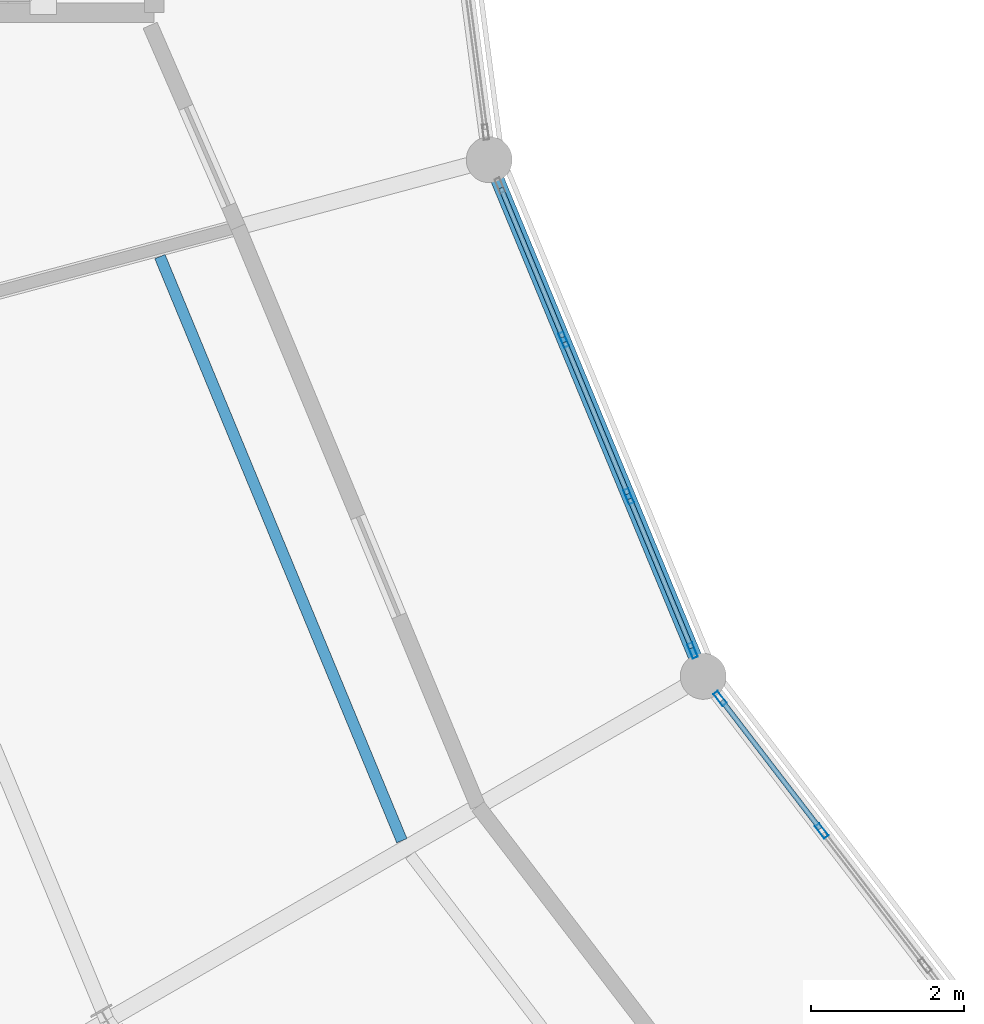
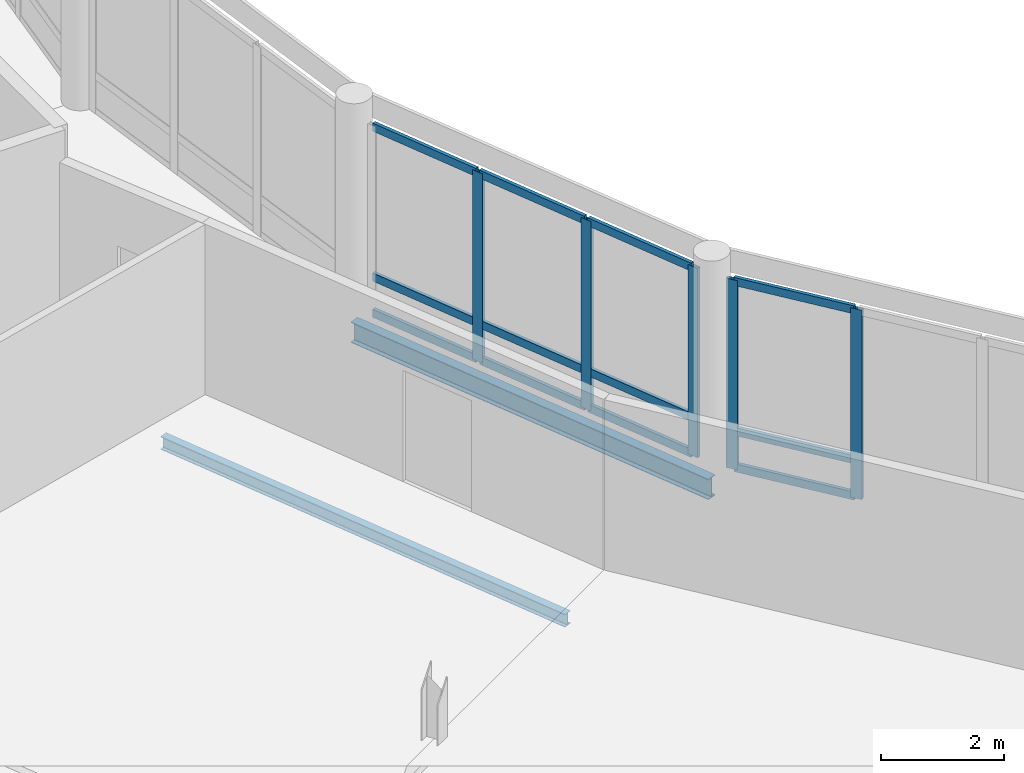
# One storey, part 39 of 170: 17 members, 2 beams, 2 elements without a shape of their own.
"""IFC4 building model written with IfcOpenShell, lengths in metres."""

from ifc_helpers import new_model, si_unit, direction, frame, origin, origin_2d, place, context, subcontext, project, spatial, hollow_rectangle, i_section, extrude, material, material_profile, profile_set, type_object, element, aggregate, save


model = new_model("IFC4")

# Units and contexts
model_context = context("Model", 3, precision=1e-05, world=origin(), true_north=direction((0.0, 1.0)))
body_context = subcontext(model_context, "Body", "Model", "MODEL_VIEW")
ifc_project = project(units=[si_unit("LENGTHUNIT", "METRE"), si_unit("AREAUNIT", "SQUARE_METRE"), si_unit("VOLUMEUNIT", "CUBIC_METRE"), si_unit("PLANEANGLEUNIT", "RADIAN"), si_unit("MASSUNIT", "GRAM", prefix="KILO")], contexts=[model_context])

# Site, building, storey
site_placement = place(None, origin())
site = spatial("IfcSite", under=ifc_project, at=site_placement, CompositionType="ELEMENT")
building_placement = place(site_placement, origin())
building = spatial("IfcBuilding", under=site, at=building_placement, Name="Vondelvale Polytechnic", CompositionType="ELEMENT")
storey_placement = place(building_placement, frame((0.0, 0.0, 5.39990234375)))
storey = spatial("IfcBuildingStorey", under=building, at=storey_placement, Name="L01", CompositionType="ELEMENT", Elevation=5.39990234375)

# Beam
ifc_material_1 = material(Name="Steel 300PLUS (fy = 300 MPa)", Category="steel")
ifc_material_profile_1 = material_profile(ifc_material_1, i_section(OverallWidth=0.177978515625, OverallDepth=0.406005859375, WebThickness=0.0078125, FlangeThickness=0.0126953125, FilletRadius=0.011474609375, at=origin_2d()), Name="410UB59.7")
ifc_profile_set_1 = profile_set([ifc_material_profile_1], Name="Steel 300PLUS (fy = 300 MPa)")
beam_type_1 = type_object("IfcBeamType", Name="BM-UB410", PredefinedType="BEAM", material=ifc_profile_set_1)
beam_1_placement = place(storey_placement, frame((74.9541015625, 64.753173828125, -0.48291015625), z_axis=(0.382667428841, -0.923886161226, 0.0), x_axis=(0.923886161226, 0.382667428841, 0.0)))
element("IfcBeam", 1, at=beam_1_placement, inside=storey, type_object=beam_type_1, Name="L01 RB B-14", PredefinedType="BEAM", context=body_context, shape_type="SweptSolid", body=[
    extrude(i_section(OverallWidth=0.177978515625, OverallDepth=0.406005859375, WebThickness=0.0078125, FlangeThickness=0.0126953125, FilletRadius=0.011474609375, at=origin_2d()), origin(), (0.0, 0.0, 1.0), 7.3095703125),
])

# Curtain wall, members
ifc_material_2 = material(Name="Anodised extruded aluminium 6063-T6", Category="aluminium")
curtain_wall_type = type_object("IfcCurtainWallType", Name="CW-RING-CLOISTER", PredefinedType="NOTDEFINED", material=ifc_material_2)
curtain_wall_1_placement = place(storey_placement, origin())
curtain_wall_1 = element("IfcCurtainWall", 2, at=curtain_wall_1_placement, inside=storey, type_object=curtain_wall_type, Name="L01 architectural curtain wall CW-03-279", PredefinedType="NOTDEFINED")
ifc_material_profile_2 = material_profile(ifc_material_2, hollow_rectangle(XDim=0.070068359375, YDim=0.199951171875, WallThickness=0.00390625, at=origin_2d()), Name="CW-MUL-200x70")
ifc_profile_set_2 = profile_set([ifc_material_profile_2], Name="Anodised extruded aluminium 6063-T6")
member_type_1 = type_object("IfcMemberType", Name="CW-MUL-70x200", PredefinedType="MULLION", material=ifc_profile_set_2)
member_1_placement = place(storey_placement, frame((75.9287109375, 62.400390625, 0.0), z_axis=(0.0, 0.0, 1.0), x_axis=(0.923881562419, 0.382678531697, 0.0)))
member_1 = element("IfcMember", 3, at=member_1_placement, type_object=member_type_1, Name="CW-03-279 mullion 2", PredefinedType="MULLION", context=body_context, shape_type="SweptSolid", body=[
    extrude(hollow_rectangle(XDim=0.070068359375, YDim=0.199951171875, WallThickness=0.00390625, at=origin_2d()), origin(), (0.0, 0.0, 1.0), 3.75),
])
member_2_placement = place(storey_placement, frame((76.77685546875, 60.352783203125, 0.0), z_axis=(0.0, 0.0, 1.0), x_axis=(0.923881562419, 0.382678531697, 0.0)))
member_2 = element("IfcMember", 4, at=member_2_placement, type_object=member_type_1, Name="CW-03-279 mullion 3", PredefinedType="MULLION", context=body_context, shape_type="SweptSolid", body=[
    extrude(hollow_rectangle(XDim=0.070068359375, YDim=0.199951171875, WallThickness=0.00390625, at=origin_2d()), origin(), (0.0, 0.0, 1.0), 3.75),
])
member_3_placement = place(storey_placement, frame((77.611572265625, 58.337158203125, 0.0), z_axis=(0.0, 0.0, 1.0), x_axis=(0.923881562419, 0.382678531697, 0.0)))
member_3 = element("IfcMember", 5, at=member_3_placement, type_object=member_type_1, Name="CW-03-279 mullion 4", PredefinedType="MULLION", context=body_context, shape_type="SweptSolid", body=[
    extrude(hollow_rectangle(XDim=0.070068359375, YDim=0.199951171875, WallThickness=0.00390625, at=origin_2d()), origin(), (0.0, 0.0, 1.0), 3.75),
])

curtain_wall_2_placement = place(storey_placement, origin())
curtain_wall_2 = element("IfcCurtainWall", 6, at=curtain_wall_2_placement, inside=storey, type_object=curtain_wall_type, Name="L01 architectural curtain wall CW-03-298", PredefinedType="NOTDEFINED")
member_4_placement = place(storey_placement, frame((77.97265625, 57.71142578125, 0.0), z_axis=(0.0, 0.0, 1.0), x_axis=(0.793363861089, 0.608747717793, 0.0)))
member_4 = element("IfcMember", 7, at=member_4_placement, type_object=member_type_1, Name="CW-03-298 mullion 1", PredefinedType="MULLION", context=body_context, shape_type="SweptSolid", body=[
    extrude(hollow_rectangle(XDim=0.070068359375, YDim=0.199951171875, WallThickness=0.00390625, at=origin_2d()), origin(), (0.0, 0.0, 1.0), 3.75),
])
member_5_placement = place(storey_placement, frame((79.30126953125, 55.97998046875, 0.0), z_axis=(0.0, 0.0, 1.0), x_axis=(0.793363861089, 0.608747717793, 0.0)))
member_5 = element("IfcMember", 8, at=member_5_placement, type_object=member_type_1, Name="CW-03-298 mullion 2", PredefinedType="MULLION", context=body_context, shape_type="SweptSolid", body=[
    extrude(hollow_rectangle(XDim=0.070068359375, YDim=0.199951171875, WallThickness=0.00390625, at=origin_2d()), origin(), (0.0, 0.0, 1.0), 3.75),
])

# Member
ifc_material_profile_3 = material_profile(ifc_material_2, hollow_rectangle(XDim=0.06494140625, YDim=0.159912109375, WallThickness=0.00341796875, at=origin_2d()), Name="CW-TRN-160x65")
ifc_profile_set_3 = profile_set([ifc_material_profile_3], Name="Anodised extruded aluminium 6063-T6")
member_type_2 = type_object("IfcMemberType", Name="CW-TRN-70x160", PredefinedType="USERDEFINED", material=ifc_profile_set_3)
member_6_placement = place(storey_placement, frame((75.107177734375, 64.383544921875, 0.03271484375), z_axis=(0.382726229306, -0.923861804277, 0.0), x_axis=(0.923861804277, 0.382726229306, 0.0)))
member_6 = element("IfcMember", 9, at=member_6_placement, type_object=member_type_2, Name="CW-03-279 transom 1.1", ObjectType="TRANSOM", PredefinedType="USERDEFINED", context=body_context, shape_type="SweptSolid", body=[
    extrude(hollow_rectangle(XDim=0.06494140625, YDim=0.159912109375, WallThickness=0.00341796875, at=origin_2d()), origin(), (0.0, 0.0, 1.0), 2.111328125),
])

member_7_placement = place(storey_placement, frame((75.107177734375, 64.383544921875, 0.75), z_axis=(0.382726229306, -0.923861804277, 0.0), x_axis=(0.923861804277, 0.382726229306, 0.0)))
member_7 = element("IfcMember", 10, at=member_7_placement, type_object=member_type_2, Name="CW-03-279 transom 1.2", ObjectType="TRANSOM", PredefinedType="USERDEFINED", context=body_context, shape_type="SweptSolid", body=[
    extrude(hollow_rectangle(XDim=0.06494140625, YDim=0.159912109375, WallThickness=0.00341796875, at=origin_2d()), origin(), (0.0, 0.0, 1.0), 2.111328125),
])

member_8_placement = place(storey_placement, frame((75.107177734375, 64.383544921875, 3.717529296875), z_axis=(0.382726229306, -0.923861804277, 0.0), x_axis=(0.923861804277, 0.382726229306, 0.0)))
member_8 = element("IfcMember", 11, at=member_8_placement, type_object=member_type_2, Name="CW-03-279 transom 1.3", ObjectType="TRANSOM", PredefinedType="USERDEFINED", context=body_context, shape_type="SweptSolid", body=[
    extrude(hollow_rectangle(XDim=0.06494140625, YDim=0.159912109375, WallThickness=0.00341796875, at=origin_2d()), origin(), (0.0, 0.0, 1.0), 2.111328125),
])

member_9_placement = place(storey_placement, frame((75.94189453125, 62.3681640625, 0.03271484375), z_axis=(0.382716752649, -0.923865730094, 0.0), x_axis=(0.923865730094, 0.382716752649, 0.0)))
member_9 = element("IfcMember", 12, at=member_9_placement, type_object=member_type_2, Name="CW-03-279 transom 2.1", ObjectType="TRANSOM", PredefinedType="USERDEFINED", context=body_context, shape_type="SweptSolid", body=[
    extrude(hollow_rectangle(XDim=0.06494140625, YDim=0.159912109375, WallThickness=0.00341796875, at=origin_2d()), origin(), (0.0, 0.0, 1.0), 2.146484375),
])

member_10_placement = place(storey_placement, frame((75.94189453125, 62.3681640625, 0.75), z_axis=(0.382716752649, -0.923865730094, 0.0), x_axis=(0.923865730094, 0.382716752649, 0.0)))
member_10 = element("IfcMember", 13, at=member_10_placement, type_object=member_type_2, Name="CW-03-279 transom 2.2", ObjectType="TRANSOM", PredefinedType="USERDEFINED", context=body_context, shape_type="SweptSolid", body=[
    extrude(hollow_rectangle(XDim=0.06494140625, YDim=0.159912109375, WallThickness=0.00341796875, at=origin_2d()), origin(), (0.0, 0.0, 1.0), 2.146484375),
])

member_11_placement = place(storey_placement, frame((75.94189453125, 62.3681640625, 3.717529296875), z_axis=(0.382716752649, -0.923865730094, 0.0), x_axis=(0.923865730094, 0.382716752649, 0.0)))
member_11 = element("IfcMember", 14, at=member_11_placement, type_object=member_type_2, Name="CW-03-279 transom 2.3", ObjectType="TRANSOM", PredefinedType="USERDEFINED", context=body_context, shape_type="SweptSolid", body=[
    extrude(hollow_rectangle(XDim=0.06494140625, YDim=0.159912109375, WallThickness=0.00341796875, at=origin_2d()), origin(), (0.0, 0.0, 1.0), 2.146484375),
])

member_12_placement = place(storey_placement, frame((76.790283203125, 60.3203125, 0.03271484375), z_axis=(0.382627532503, -0.923902685011, 0.0), x_axis=(0.923902685011, 0.382627532503, 0.0)))
member_12 = element("IfcMember", 15, at=member_12_placement, type_object=member_type_2, Name="CW-03-279 transom 3.1", ObjectType="TRANSOM", PredefinedType="USERDEFINED", context=body_context, shape_type="SweptSolid", body=[
    extrude(hollow_rectangle(XDim=0.06494140625, YDim=0.159912109375, WallThickness=0.00341796875, at=origin_2d()), origin(), (0.0, 0.0, 1.0), 2.111328125),
])

member_13_placement = place(storey_placement, frame((76.790283203125, 60.3203125, 0.75), z_axis=(0.382627532503, -0.923902685011, 0.0), x_axis=(0.923902685011, 0.382627532503, 0.0)))
member_13 = element("IfcMember", 16, at=member_13_placement, type_object=member_type_2, Name="CW-03-279 transom 3.2", ObjectType="TRANSOM", PredefinedType="USERDEFINED", context=body_context, shape_type="SweptSolid", body=[
    extrude(hollow_rectangle(XDim=0.06494140625, YDim=0.159912109375, WallThickness=0.00341796875, at=origin_2d()), origin(), (0.0, 0.0, 1.0), 2.111328125),
])

member_14_placement = place(storey_placement, frame((76.790283203125, 60.3203125, 3.717529296875), z_axis=(0.382627532503, -0.923902685011, 0.0), x_axis=(0.923902685011, 0.382627532503, 0.0)))
member_14 = element("IfcMember", 17, at=member_14_placement, type_object=member_type_2, Name="CW-03-279 transom 3.3", ObjectType="TRANSOM", PredefinedType="USERDEFINED", context=body_context, shape_type="SweptSolid", body=[
    extrude(hollow_rectangle(XDim=0.06494140625, YDim=0.159912109375, WallThickness=0.00341796875, at=origin_2d()), origin(), (0.0, 0.0, 1.0), 2.111328125),
])

aggregate(curtain_wall_1, [member_1, member_2, member_3, member_6, member_7, member_8, member_9, member_10, member_11, member_12, member_13, member_14])

member_15_placement = place(storey_placement, frame((77.993896484375, 57.683837890625, 0.03271484375), z_axis=(0.608783266169, -0.793336583571, 0.0), x_axis=(0.793336583571, 0.608783266169, 0.0)))
member_15 = element("IfcMember", 18, at=member_15_placement, type_object=member_type_2, Name="CW-03-298 transom 1.1", ObjectType="TRANSOM", PredefinedType="USERDEFINED", context=body_context, shape_type="SweptSolid", body=[
    extrude(hollow_rectangle(XDim=0.06494140625, YDim=0.159912109375, WallThickness=0.00341796875, at=origin_2d()), origin(), (0.0, 0.0, 1.0), 2.112548828125),
])

member_16_placement = place(storey_placement, frame((77.993896484375, 57.683837890625, 0.75), z_axis=(0.608783266169, -0.793336583571, 0.0), x_axis=(0.793336583571, 0.608783266169, 0.0)))
member_16 = element("IfcMember", 19, at=member_16_placement, type_object=member_type_2, Name="CW-03-298 transom 1.2", ObjectType="TRANSOM", PredefinedType="USERDEFINED", context=body_context, shape_type="SweptSolid", body=[
    extrude(hollow_rectangle(XDim=0.06494140625, YDim=0.159912109375, WallThickness=0.00341796875, at=origin_2d()), origin(), (0.0, 0.0, 1.0), 2.112548828125),
])

member_17_placement = place(storey_placement, frame((77.993896484375, 57.683837890625, 3.717529296875), z_axis=(0.608783266169, -0.793336583571, 0.0), x_axis=(0.793336583571, 0.608783266169, 0.0)))
member_17 = element("IfcMember", 20, at=member_17_placement, type_object=member_type_2, Name="CW-03-298 transom 1.3", ObjectType="TRANSOM", PredefinedType="USERDEFINED", context=body_context, shape_type="SweptSolid", body=[
    extrude(hollow_rectangle(XDim=0.06494140625, YDim=0.159912109375, WallThickness=0.00341796875, at=origin_2d()), origin(), (0.0, 0.0, 1.0), 2.112548828125),
])

aggregate(curtain_wall_2, [member_4, member_5, member_15, member_16, member_17])

# Beam
ifc_material_profile_4 = material_profile(ifc_material_1, i_section(OverallWidth=0.14599609375, OverallDepth=0.256103515625, WebThickness=0.00634765625, FlangeThickness=0.010986328125, FilletRadius=0.0087890625, at=origin_2d()), Name="250UB37.3")
ifc_profile_set_4 = profile_set([ifc_material_profile_4], Name="Steel 300PLUS (fy = 300 MPa)")
beam_type_2 = type_object("IfcBeamType", Name="JST-UB250", PredefinedType="JOIST", material=ifc_profile_set_4)
beam_2_placement = place(storey_placement, frame((70.6494140625, 63.48681640625, -0.407958984375), z_axis=(0.38268053388, -0.923880733098, 0.0), x_axis=(0.923880733098, 0.38268053388, 0.0)))
element("IfcBeam", 21, at=beam_2_placement, inside=storey, type_object=beam_type_2, Name="L01 RJ J-06", PredefinedType="JOIST", context=body_context, shape_type="SweptSolid", body=[
    extrude(i_section(OverallWidth=0.14599609375, OverallDepth=0.256103515625, WebThickness=0.00634765625, FlangeThickness=0.010986328125, FilletRadius=0.0087890625, at=origin_2d()), origin(), (0.0, 0.0, 1.0), 8.264404296875),
])

save(model, "model.ifc")
